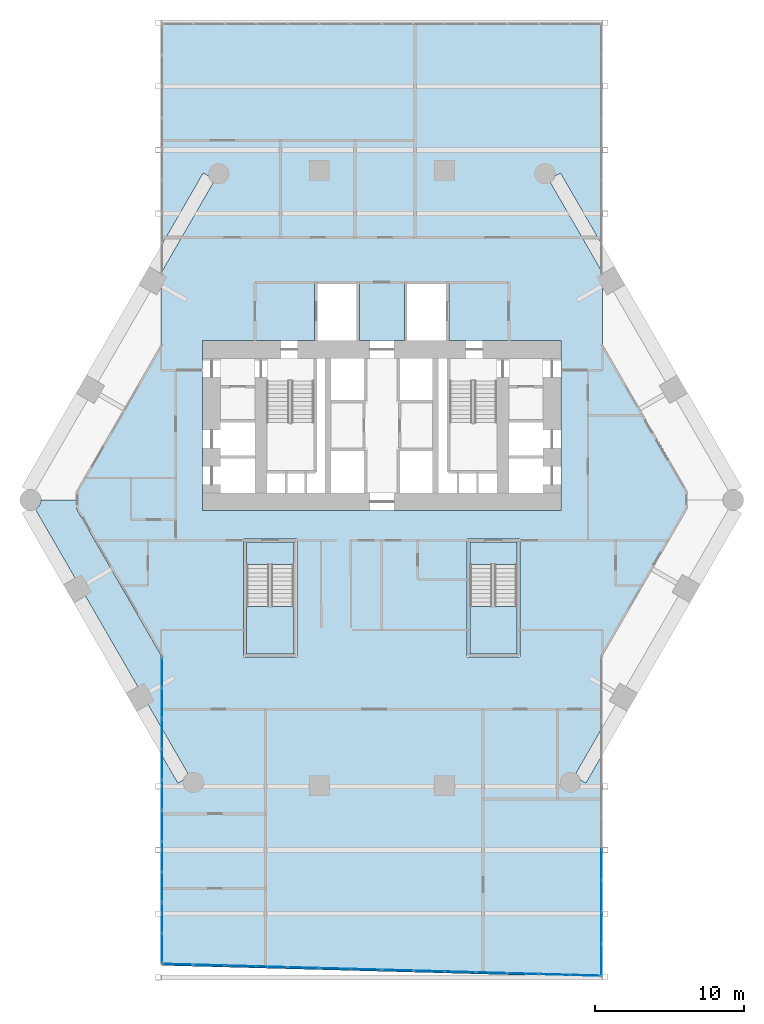
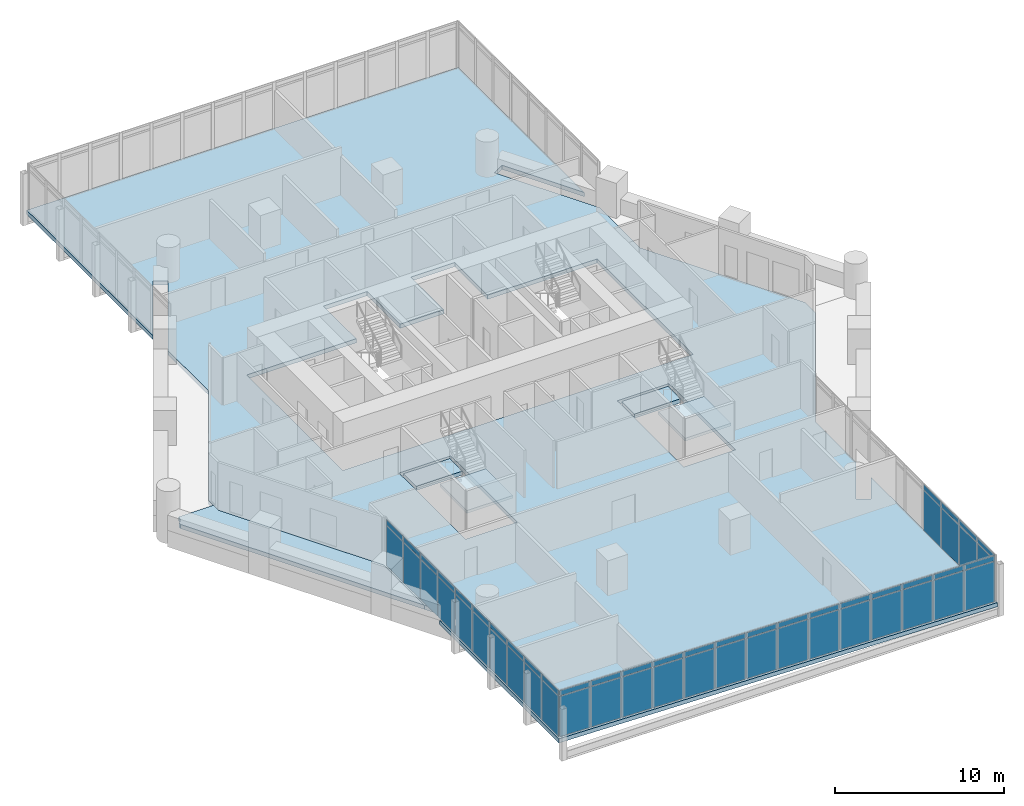
# One storey, part 20 of 28: 56 plates, 6 slabs, 5 elements without a shape of their own.
"""IFC4 building model written with IfcOpenShell, lengths in metres."""

from ifc_helpers import new_model, si_unit, direction, frame, origin, origin_2d, place, context, subcontext, project, spatial, polyline, rectangle, outline, extrude, material, layer, layer_set, type_object, element, aggregate, save


model = new_model("IFC4")

# Units and contexts
model_context = context("Model", 3, precision=1e-05, world=origin(), true_north=direction((0.0, 1.0)))
body_context = subcontext(model_context, "Body", "Model", "MODEL_VIEW")
ifc_project = project(units=[si_unit("LENGTHUNIT", "METRE"), si_unit("AREAUNIT", "SQUARE_METRE"), si_unit("VOLUMEUNIT", "CUBIC_METRE"), si_unit("PLANEANGLEUNIT", "RADIAN"), si_unit("MASSUNIT", "GRAM", prefix="KILO")], contexts=[model_context])

# Site, building, storey
site_placement = place(None, origin())
site = spatial("IfcSite", under=ifc_project, at=site_placement, CompositionType="ELEMENT")
building_placement = place(site_placement, origin())
building = spatial("IfcBuilding", under=site, at=building_placement, Name="Ostrander Bayou Hotel Tower", CompositionType="ELEMENT")
storey_placement = place(building_placement, frame((0.0, 0.0, 73.0)))
storey = spatial("IfcBuildingStorey", under=building, at=storey_placement, Name="L18", CompositionType="ELEMENT", Elevation=73.0)

# Curtain wall, plates
ifc_material_1 = material(Name="Aluminium and clear glass", Category="aluminium")
curtain_wall_type = type_object("IfcCurtainWallType", Name="CW-BAR glazed wall", PredefinedType="NOTDEFINED", material=ifc_material_1)
curtain_wall_1_placement = place(storey_placement, origin())
curtain_wall_1 = element("IfcCurtainWall", 1, at=curtain_wall_1_placement, inside=storey, type_object=curtain_wall_type, Name="CW-BAR L18:SB1S:E", PredefinedType="NOTDEFINED")
ifc_material_2 = material(Name="Clear laminated glass", Category="glass")
ifc_layer_1 = layer(ifc_material_2, 0.028076171875)
ifc_layer_set_1 = layer_set([ifc_layer_1], Name="CW-BR glazing panel 28 mm")
plate_type = type_object("IfcPlateType", Name="CW-BR glazing panel 28 mm", PredefinedType="CURTAIN_PANEL", material=ifc_layer_set_1)
plate_1_placement = place(storey_placement, frame((-14.712158203125, -12.559326171875, 0.06005859375), z_axis=(0.0, 0.0, 1.0), x_axis=(0.0, -1.0, 0.0)))
plate_1 = element("IfcPlate", 2, at=plate_1_placement, type_object=plate_type, Name="CW-BAR panel 1.1", PredefinedType="CURTAIN_PANEL", context=body_context, shape_type="SweptSolid", body=[
    extrude(rectangle(XDim=1.96337890625, YDim=0.028076171875, at=origin_2d()), origin(), (0.0, 0.0, 1.0), 2.909912109375),
])
plate_2_placement = place(storey_placement, frame((-14.712158203125, -12.559326171875, 3.02978515625), z_axis=(0.0, 0.0, 1.0), x_axis=(0.0, -1.0, 0.0)))
plate_2 = element("IfcPlate", 3, at=plate_2_placement, type_object=plate_type, Name="CW-BAR panel 1.2", PredefinedType="CURTAIN_PANEL", context=body_context, shape_type="SweptSolid", body=[
    extrude(rectangle(XDim=1.96337890625, YDim=0.028076171875, at=origin_2d()), origin(), (0.0, 0.0, 1.0), 0.360107421875),
])
plate_3_placement = place(storey_placement, frame((-14.712158203125, -14.597900390625, 0.06005859375), z_axis=(0.0, 0.0, 1.0), x_axis=(0.0, -1.0, 0.0)))
plate_3 = element("IfcPlate", 4, at=plate_3_placement, type_object=plate_type, Name="CW-BAR panel 2.1", PredefinedType="CURTAIN_PANEL", context=body_context, shape_type="SweptSolid", body=[
    extrude(rectangle(XDim=1.993408203125, YDim=0.028076171875, at=origin_2d()), origin(), (0.0, 0.0, 1.0), 2.909912109375),
])
plate_4_placement = place(storey_placement, frame((-14.712158203125, -14.597900390625, 3.02978515625), z_axis=(0.0, 0.0, 1.0), x_axis=(0.0, -1.0, 0.0)))
plate_4 = element("IfcPlate", 5, at=plate_4_placement, type_object=plate_type, Name="CW-BAR panel 2.2", PredefinedType="CURTAIN_PANEL", context=body_context, shape_type="SweptSolid", body=[
    extrude(rectangle(XDim=1.993408203125, YDim=0.028076171875, at=origin_2d()), origin(), (0.0, 0.0, 1.0), 0.360107421875),
])
plate_5_placement = place(storey_placement, frame((-14.712158203125, -16.6513671875, 0.06005859375), z_axis=(0.0, 0.0, 1.0), x_axis=(0.0, -1.0, 0.0)))
plate_5 = element("IfcPlate", 6, at=plate_5_placement, type_object=plate_type, Name="CW-BAR panel 3.1", PredefinedType="CURTAIN_PANEL", context=body_context, shape_type="SweptSolid", body=[
    extrude(rectangle(XDim=1.993408203125, YDim=0.028076171875, at=origin_2d()), origin(), (0.0, 0.0, 1.0), 2.909912109375),
])
plate_6_placement = place(storey_placement, frame((-14.712158203125, -16.6513671875, 3.02978515625), z_axis=(0.0, 0.0, 1.0), x_axis=(0.0, -1.0, 0.0)))
plate_6 = element("IfcPlate", 7, at=plate_6_placement, type_object=plate_type, Name="CW-BAR panel 3.2", PredefinedType="CURTAIN_PANEL", context=body_context, shape_type="SweptSolid", body=[
    extrude(rectangle(XDim=1.993408203125, YDim=0.028076171875, at=origin_2d()), origin(), (0.0, 0.0, 1.0), 0.360107421875),
])
plate_7_placement = place(storey_placement, frame((-14.712158203125, -18.70458984375, 0.06005859375), z_axis=(0.0, 0.0, 1.0), x_axis=(0.0, -1.0, 0.0)))
plate_7 = element("IfcPlate", 8, at=plate_7_placement, type_object=plate_type, Name="CW-BAR panel 4.1", PredefinedType="CURTAIN_PANEL", context=body_context, shape_type="SweptSolid", body=[
    extrude(rectangle(XDim=1.993408203125, YDim=0.028076171875, at=origin_2d()), origin(), (0.0, 0.0, 1.0), 2.909912109375),
])
plate_8_placement = place(storey_placement, frame((-14.712158203125, -18.70458984375, 3.02978515625), z_axis=(0.0, 0.0, 1.0), x_axis=(0.0, -1.0, 0.0)))
plate_8 = element("IfcPlate", 9, at=plate_8_placement, type_object=plate_type, Name="CW-BAR panel 4.2", PredefinedType="CURTAIN_PANEL", context=body_context, shape_type="SweptSolid", body=[
    extrude(rectangle(XDim=1.993408203125, YDim=0.028076171875, at=origin_2d()), origin(), (0.0, 0.0, 1.0), 0.360107421875),
])
plate_9_placement = place(storey_placement, frame((-14.712158203125, -20.758056640625, 0.06005859375), z_axis=(0.0, 0.0, 1.0), x_axis=(0.0, -1.0, 0.0)))
plate_9 = element("IfcPlate", 10, at=plate_9_placement, type_object=plate_type, Name="CW-BAR panel 5.1", PredefinedType="CURTAIN_PANEL", context=body_context, shape_type="SweptSolid", body=[
    extrude(rectangle(XDim=1.993408203125, YDim=0.028076171875, at=origin_2d()), origin(), (0.0, 0.0, 1.0), 2.909912109375),
])
plate_10_placement = place(storey_placement, frame((-14.712158203125, -20.758056640625, 3.02978515625), z_axis=(0.0, 0.0, 1.0), x_axis=(0.0, -1.0, 0.0)))
plate_10 = element("IfcPlate", 11, at=plate_10_placement, type_object=plate_type, Name="CW-BAR panel 5.2", PredefinedType="CURTAIN_PANEL", context=body_context, shape_type="SweptSolid", body=[
    extrude(rectangle(XDim=1.993408203125, YDim=0.028076171875, at=origin_2d()), origin(), (0.0, 0.0, 1.0), 0.360107421875),
])
plate_11_placement = place(storey_placement, frame((-14.712158203125, -22.8115234375, 0.06005859375), z_axis=(0.0, 0.0, 1.0), x_axis=(0.0, -1.0, 0.0)))
plate_11 = element("IfcPlate", 12, at=plate_11_placement, type_object=plate_type, Name="CW-BAR panel 6.1", PredefinedType="CURTAIN_PANEL", context=body_context, shape_type="SweptSolid", body=[
    extrude(rectangle(XDim=1.993408203125, YDim=0.028076171875, at=origin_2d()), origin(), (0.0, 0.0, 1.0), 2.909912109375),
])
plate_12_placement = place(storey_placement, frame((-14.712158203125, -22.8115234375, 3.02978515625), z_axis=(0.0, 0.0, 1.0), x_axis=(0.0, -1.0, 0.0)))
plate_12 = element("IfcPlate", 13, at=plate_12_placement, type_object=plate_type, Name="CW-BAR panel 6.2", PredefinedType="CURTAIN_PANEL", context=body_context, shape_type="SweptSolid", body=[
    extrude(rectangle(XDim=1.993408203125, YDim=0.028076171875, at=origin_2d()), origin(), (0.0, 0.0, 1.0), 0.360107421875),
])
plate_13_placement = place(storey_placement, frame((-14.712158203125, -24.864990234375, 0.06005859375), z_axis=(0.0, 0.0, 1.0), x_axis=(0.0, -1.0, 0.0)))
plate_13 = element("IfcPlate", 14, at=plate_13_placement, type_object=plate_type, Name="CW-BAR panel 7.1", PredefinedType="CURTAIN_PANEL", context=body_context, shape_type="SweptSolid", body=[
    extrude(rectangle(XDim=1.993408203125, YDim=0.028076171875, at=origin_2d()), origin(), (0.0, 0.0, 1.0), 2.909912109375),
])
plate_14_placement = place(storey_placement, frame((-14.712158203125, -24.864990234375, 3.02978515625), z_axis=(0.0, 0.0, 1.0), x_axis=(0.0, -1.0, 0.0)))
plate_14 = element("IfcPlate", 15, at=plate_14_placement, type_object=plate_type, Name="CW-BAR panel 7.2", PredefinedType="CURTAIN_PANEL", context=body_context, shape_type="SweptSolid", body=[
    extrude(rectangle(XDim=1.993408203125, YDim=0.028076171875, at=origin_2d()), origin(), (0.0, 0.0, 1.0), 0.360107421875),
])
plate_15_placement = place(storey_placement, frame((-14.712158203125, -26.91845703125, 0.06005859375), z_axis=(0.0, 0.0, 1.0), x_axis=(0.0, -1.0, 0.0)))
plate_15 = element("IfcPlate", 16, at=plate_15_placement, type_object=plate_type, Name="CW-BAR panel 8.1", PredefinedType="CURTAIN_PANEL", context=body_context, shape_type="SweptSolid", body=[
    extrude(rectangle(XDim=1.993408203125, YDim=0.028076171875, at=origin_2d()), origin(), (0.0, 0.0, 1.0), 2.909912109375),
])
plate_16_placement = place(storey_placement, frame((-14.712158203125, -26.91845703125, 3.02978515625), z_axis=(0.0, 0.0, 1.0), x_axis=(0.0, -1.0, 0.0)))
plate_16 = element("IfcPlate", 17, at=plate_16_placement, type_object=plate_type, Name="CW-BAR panel 8.2", PredefinedType="CURTAIN_PANEL", context=body_context, shape_type="SweptSolid", body=[
    extrude(rectangle(XDim=1.993408203125, YDim=0.028076171875, at=origin_2d()), origin(), (0.0, 0.0, 1.0), 0.360107421875),
])
plate_17_placement = place(storey_placement, frame((-14.712158203125, -28.971923828125, 0.06005859375), z_axis=(0.0, 0.0, 1.0), x_axis=(0.0, -1.0, 0.0)))
plate_17 = element("IfcPlate", 18, at=plate_17_placement, type_object=plate_type, Name="CW-BAR panel 9.1", PredefinedType="CURTAIN_PANEL", context=body_context, shape_type="SweptSolid", body=[
    extrude(rectangle(XDim=1.993408203125, YDim=0.028076171875, at=origin_2d()), origin(), (0.0, 0.0, 1.0), 2.909912109375),
])
plate_18_placement = place(storey_placement, frame((-14.712158203125, -28.971923828125, 3.02978515625), z_axis=(0.0, 0.0, 1.0), x_axis=(0.0, -1.0, 0.0)))
plate_18 = element("IfcPlate", 19, at=plate_18_placement, type_object=plate_type, Name="CW-BAR panel 9.2", PredefinedType="CURTAIN_PANEL", context=body_context, shape_type="SweptSolid", body=[
    extrude(rectangle(XDim=1.993408203125, YDim=0.028076171875, at=origin_2d()), origin(), (0.0, 0.0, 1.0), 0.360107421875),
])
plate_19_placement = place(storey_placement, frame((-14.712158203125, -31.01025390625, 0.06005859375), z_axis=(0.0, 0.0, 1.0), x_axis=(0.0, -1.0, 0.0)))
plate_19 = element("IfcPlate", 20, at=plate_19_placement, type_object=plate_type, Name="CW-BAR panel 10.1", PredefinedType="CURTAIN_PANEL", context=body_context, shape_type="SweptSolid", body=[
    extrude(rectangle(XDim=1.96337890625, YDim=0.028076171875, at=origin_2d()), origin(), (0.0, 0.0, 1.0), 2.909912109375),
])
plate_20_placement = place(storey_placement, frame((-14.712158203125, -31.01025390625, 3.02978515625), z_axis=(0.0, 0.0, 1.0), x_axis=(0.0, -1.0, 0.0)))
plate_20 = element("IfcPlate", 21, at=plate_20_placement, type_object=plate_type, Name="CW-BAR panel 10.2", PredefinedType="CURTAIN_PANEL", context=body_context, shape_type="SweptSolid", body=[
    extrude(rectangle(XDim=1.96337890625, YDim=0.028076171875, at=origin_2d()), origin(), (0.0, 0.0, 1.0), 0.360107421875),
])
aggregate(curtain_wall_1, [plate_1, plate_2, plate_3, plate_4, plate_5, plate_6, plate_7, plate_8, plate_9, plate_10, plate_11, plate_12, plate_13, plate_14, plate_15, plate_16, plate_17, plate_18, plate_19, plate_20])

curtain_wall_2_placement = place(storey_placement, origin())
curtain_wall_2 = element("IfcCurtainWall", 22, at=curtain_wall_2_placement, inside=storey, type_object=curtain_wall_type, Name="CW-BAR L18:SB1S:T", PredefinedType="NOTDEFINED")
plate_21_placement = place(storey_placement, frame((-13.646240234375, -32.080810546875, 0.06005859375), z_axis=(0.0, 0.0, 1.0), x_axis=(0.999634285133, -0.027042484848, 0.0)))
plate_21 = element("IfcPlate", 23, at=plate_21_placement, type_object=plate_type, Name="CW-BAR panel 1.1", PredefinedType="CURTAIN_PANEL", context=body_context, shape_type="SweptSolid", body=[
    extrude(rectangle(XDim=2.012451171875, YDim=0.028076171875, at=origin_2d()), origin(), (0.0, 0.0, 1.0), 2.909912109375),
])
plate_22_placement = place(storey_placement, frame((-13.646240234375, -32.080810546875, 3.02978515625), z_axis=(0.0, 0.0, 1.0), x_axis=(0.999634285133, -0.027042484848, 0.0)))
plate_22 = element("IfcPlate", 24, at=plate_22_placement, type_object=plate_type, Name="CW-BAR panel 1.2", PredefinedType="CURTAIN_PANEL", context=body_context, shape_type="SweptSolid", body=[
    extrude(rectangle(XDim=2.012451171875, YDim=0.028076171875, at=origin_2d()), origin(), (0.0, 0.0, 1.0), 0.360107421875),
])
plate_23_placement = place(storey_placement, frame((-11.5595703125, -32.13720703125, 0.06005859375), z_axis=(0.0, 0.0, 1.0), x_axis=(0.999634285133, -0.027042484848, 0.0)))
plate_23 = element("IfcPlate", 25, at=plate_23_placement, type_object=plate_type, Name="CW-BAR panel 2.1", PredefinedType="CURTAIN_PANEL", context=body_context, shape_type="SweptSolid", body=[
    extrude(rectangle(XDim=2.04248046875, YDim=0.028076171875, at=origin_2d()), origin(), (0.0, 0.0, 1.0), 2.909912109375),
])
plate_24_placement = place(storey_placement, frame((-11.5595703125, -32.13720703125, 3.02978515625), z_axis=(0.0, 0.0, 1.0), x_axis=(0.999634285133, -0.027042484848, 0.0)))
plate_24 = element("IfcPlate", 26, at=plate_24_placement, type_object=plate_type, Name="CW-BAR panel 2.2", PredefinedType="CURTAIN_PANEL", context=body_context, shape_type="SweptSolid", body=[
    extrude(rectangle(XDim=2.04248046875, YDim=0.028076171875, at=origin_2d()), origin(), (0.0, 0.0, 1.0), 0.360107421875),
])
plate_25_placement = place(storey_placement, frame((-9.457763671875, -32.194091796875, 0.06005859375), z_axis=(0.0, 0.0, 1.0), x_axis=(0.999634285133, -0.027042484848, 0.0)))
plate_25 = element("IfcPlate", 27, at=plate_25_placement, type_object=plate_type, Name="CW-BAR panel 3.1", PredefinedType="CURTAIN_PANEL", context=body_context, shape_type="SweptSolid", body=[
    extrude(rectangle(XDim=2.04248046875, YDim=0.028076171875, at=origin_2d()), origin(), (0.0, 0.0, 1.0), 2.909912109375),
])
plate_26_placement = place(storey_placement, frame((-9.457763671875, -32.194091796875, 3.02978515625), z_axis=(0.0, 0.0, 1.0), x_axis=(0.999634285133, -0.027042484848, 0.0)))
plate_26 = element("IfcPlate", 28, at=plate_26_placement, type_object=plate_type, Name="CW-BAR panel 3.2", PredefinedType="CURTAIN_PANEL", context=body_context, shape_type="SweptSolid", body=[
    extrude(rectangle(XDim=2.04248046875, YDim=0.028076171875, at=origin_2d()), origin(), (0.0, 0.0, 1.0), 0.360107421875),
])
plate_27_placement = place(storey_placement, frame((-7.356201171875, -32.2509765625, 0.06005859375), z_axis=(0.0, 0.0, 1.0), x_axis=(0.999634285133, -0.027042484848, 0.0)))
plate_27 = element("IfcPlate", 29, at=plate_27_placement, type_object=plate_type, Name="CW-BAR panel 4.1", PredefinedType="CURTAIN_PANEL", context=body_context, shape_type="SweptSolid", body=[
    extrude(rectangle(XDim=2.04248046875, YDim=0.028076171875, at=origin_2d()), origin(), (0.0, 0.0, 1.0), 2.909912109375),
])
plate_28_placement = place(storey_placement, frame((-7.356201171875, -32.2509765625, 3.02978515625), z_axis=(0.0, 0.0, 1.0), x_axis=(0.999634285133, -0.027042484848, 0.0)))
plate_28 = element("IfcPlate", 30, at=plate_28_placement, type_object=plate_type, Name="CW-BAR panel 4.2", PredefinedType="CURTAIN_PANEL", context=body_context, shape_type="SweptSolid", body=[
    extrude(rectangle(XDim=2.04248046875, YDim=0.028076171875, at=origin_2d()), origin(), (0.0, 0.0, 1.0), 0.360107421875),
])
plate_29_placement = place(storey_placement, frame((-5.25439453125, -32.307861328125, 0.06005859375), z_axis=(0.0, 0.0, 1.0), x_axis=(0.999634285133, -0.027042484848, 0.0)))
plate_29 = element("IfcPlate", 31, at=plate_29_placement, type_object=plate_type, Name="CW-BAR panel 5.1", PredefinedType="CURTAIN_PANEL", context=body_context, shape_type="SweptSolid", body=[
    extrude(rectangle(XDim=2.04248046875, YDim=0.028076171875, at=origin_2d()), origin(), (0.0, 0.0, 1.0), 2.909912109375),
])
plate_30_placement = place(storey_placement, frame((-5.25439453125, -32.307861328125, 3.02978515625), z_axis=(0.0, 0.0, 1.0), x_axis=(0.999634285133, -0.027042484848, 0.0)))
plate_30 = element("IfcPlate", 32, at=plate_30_placement, type_object=plate_type, Name="CW-BAR panel 5.2", PredefinedType="CURTAIN_PANEL", context=body_context, shape_type="SweptSolid", body=[
    extrude(rectangle(XDim=2.04248046875, YDim=0.028076171875, at=origin_2d()), origin(), (0.0, 0.0, 1.0), 0.360107421875),
])
plate_31_placement = place(storey_placement, frame((-3.152587890625, -32.36474609375, 0.06005859375), z_axis=(0.0, 0.0, 1.0), x_axis=(0.999634285133, -0.027042484848, 0.0)))
plate_31 = element("IfcPlate", 33, at=plate_31_placement, type_object=plate_type, Name="CW-BAR panel 6.1", PredefinedType="CURTAIN_PANEL", context=body_context, shape_type="SweptSolid", body=[
    extrude(rectangle(XDim=2.04248046875, YDim=0.028076171875, at=origin_2d()), origin(), (0.0, 0.0, 1.0), 2.909912109375),
])
plate_32_placement = place(storey_placement, frame((-3.152587890625, -32.36474609375, 3.02978515625), z_axis=(0.0, 0.0, 1.0), x_axis=(0.999634285133, -0.027042484848, 0.0)))
plate_32 = element("IfcPlate", 34, at=plate_32_placement, type_object=plate_type, Name="CW-BAR panel 6.2", PredefinedType="CURTAIN_PANEL", context=body_context, shape_type="SweptSolid", body=[
    extrude(rectangle(XDim=2.04248046875, YDim=0.028076171875, at=origin_2d()), origin(), (0.0, 0.0, 1.0), 0.360107421875),
])
plate_33_placement = place(storey_placement, frame((-1.05078125, -32.421630859375, 0.06005859375), z_axis=(0.0, 0.0, 1.0), x_axis=(0.999634285133, -0.027042484848, 0.0)))
plate_33 = element("IfcPlate", 35, at=plate_33_placement, type_object=plate_type, Name="CW-BAR panel 7.1", PredefinedType="CURTAIN_PANEL", context=body_context, shape_type="SweptSolid", body=[
    extrude(rectangle(XDim=2.04248046875, YDim=0.028076171875, at=origin_2d()), origin(), (0.0, 0.0, 1.0), 2.909912109375),
])
plate_34_placement = place(storey_placement, frame((-1.05078125, -32.421630859375, 3.02978515625), z_axis=(0.0, 0.0, 1.0), x_axis=(0.999634285133, -0.027042484848, 0.0)))
plate_34 = element("IfcPlate", 36, at=plate_34_placement, type_object=plate_type, Name="CW-BAR panel 7.2", PredefinedType="CURTAIN_PANEL", context=body_context, shape_type="SweptSolid", body=[
    extrude(rectangle(XDim=2.04248046875, YDim=0.028076171875, at=origin_2d()), origin(), (0.0, 0.0, 1.0), 0.360107421875),
])
plate_35_placement = place(storey_placement, frame((1.05078125, -32.478515625, 0.06005859375), z_axis=(0.0, 0.0, 1.0), x_axis=(0.999634285133, -0.027042484848, 0.0)))
plate_35 = element("IfcPlate", 37, at=plate_35_placement, type_object=plate_type, Name="CW-BAR panel 8.1", PredefinedType="CURTAIN_PANEL", context=body_context, shape_type="SweptSolid", body=[
    extrude(rectangle(XDim=2.04248046875, YDim=0.028076171875, at=origin_2d()), origin(), (0.0, 0.0, 1.0), 2.909912109375),
])
plate_36_placement = place(storey_placement, frame((1.05078125, -32.478515625, 3.02978515625), z_axis=(0.0, 0.0, 1.0), x_axis=(0.999634285133, -0.027042484848, 0.0)))
plate_36 = element("IfcPlate", 38, at=plate_36_placement, type_object=plate_type, Name="CW-BAR panel 8.2", PredefinedType="CURTAIN_PANEL", context=body_context, shape_type="SweptSolid", body=[
    extrude(rectangle(XDim=2.04248046875, YDim=0.028076171875, at=origin_2d()), origin(), (0.0, 0.0, 1.0), 0.360107421875),
])
plate_37_placement = place(storey_placement, frame((3.152587890625, -32.535400390625, 0.06005859375), z_axis=(0.0, 0.0, 1.0), x_axis=(0.999634285133, -0.027042484848, 0.0)))
plate_37 = element("IfcPlate", 39, at=plate_37_placement, type_object=plate_type, Name="CW-BAR panel 9.1", PredefinedType="CURTAIN_PANEL", context=body_context, shape_type="SweptSolid", body=[
    extrude(rectangle(XDim=2.04248046875, YDim=0.028076171875, at=origin_2d()), origin(), (0.0, 0.0, 1.0), 2.909912109375),
])
plate_38_placement = place(storey_placement, frame((3.152587890625, -32.535400390625, 3.02978515625), z_axis=(0.0, 0.0, 1.0), x_axis=(0.999634285133, -0.027042484848, 0.0)))
plate_38 = element("IfcPlate", 40, at=plate_38_placement, type_object=plate_type, Name="CW-BAR panel 9.2", PredefinedType="CURTAIN_PANEL", context=body_context, shape_type="SweptSolid", body=[
    extrude(rectangle(XDim=2.04248046875, YDim=0.028076171875, at=origin_2d()), origin(), (0.0, 0.0, 1.0), 0.360107421875),
])
plate_39_placement = place(storey_placement, frame((5.25439453125, -32.592041015625, 0.06005859375), z_axis=(0.0, 0.0, 1.0), x_axis=(0.999634285133, -0.027042484848, 0.0)))
plate_39 = element("IfcPlate", 41, at=plate_39_placement, type_object=plate_type, Name="CW-BAR panel 10.1", PredefinedType="CURTAIN_PANEL", context=body_context, shape_type="SweptSolid", body=[
    extrude(rectangle(XDim=2.04248046875, YDim=0.028076171875, at=origin_2d()), origin(), (0.0, 0.0, 1.0), 2.909912109375),
])
plate_40_placement = place(storey_placement, frame((5.25439453125, -32.592041015625, 3.02978515625), z_axis=(0.0, 0.0, 1.0), x_axis=(0.999634285133, -0.027042484848, 0.0)))
plate_40 = element("IfcPlate", 42, at=plate_40_placement, type_object=plate_type, Name="CW-BAR panel 10.2", PredefinedType="CURTAIN_PANEL", context=body_context, shape_type="SweptSolid", body=[
    extrude(rectangle(XDim=2.04248046875, YDim=0.028076171875, at=origin_2d()), origin(), (0.0, 0.0, 1.0), 0.360107421875),
])
plate_41_placement = place(storey_placement, frame((7.356201171875, -32.64892578125, 0.06005859375), z_axis=(0.0, 0.0, 1.0), x_axis=(0.999634285133, -0.027042484848, 0.0)))
plate_41 = element("IfcPlate", 43, at=plate_41_placement, type_object=plate_type, Name="CW-BAR panel 11.1", PredefinedType="CURTAIN_PANEL", context=body_context, shape_type="SweptSolid", body=[
    extrude(rectangle(XDim=2.04248046875, YDim=0.028076171875, at=origin_2d()), origin(), (0.0, 0.0, 1.0), 2.909912109375),
])
plate_42_placement = place(storey_placement, frame((7.356201171875, -32.64892578125, 3.02978515625), z_axis=(0.0, 0.0, 1.0), x_axis=(0.999634285133, -0.027042484848, 0.0)))
plate_42 = element("IfcPlate", 44, at=plate_42_placement, type_object=plate_type, Name="CW-BAR panel 11.2", PredefinedType="CURTAIN_PANEL", context=body_context, shape_type="SweptSolid", body=[
    extrude(rectangle(XDim=2.04248046875, YDim=0.028076171875, at=origin_2d()), origin(), (0.0, 0.0, 1.0), 0.360107421875),
])
plate_43_placement = place(storey_placement, frame((9.457763671875, -32.705810546875, 0.06005859375), z_axis=(0.0, 0.0, 1.0), x_axis=(0.999634285133, -0.027042484848, 0.0)))
plate_43 = element("IfcPlate", 45, at=plate_43_placement, type_object=plate_type, Name="CW-BAR panel 12.1", PredefinedType="CURTAIN_PANEL", context=body_context, shape_type="SweptSolid", body=[
    extrude(rectangle(XDim=2.04248046875, YDim=0.028076171875, at=origin_2d()), origin(), (0.0, 0.0, 1.0), 2.909912109375),
])
plate_44_placement = place(storey_placement, frame((9.457763671875, -32.705810546875, 3.02978515625), z_axis=(0.0, 0.0, 1.0), x_axis=(0.999634285133, -0.027042484848, 0.0)))
plate_44 = element("IfcPlate", 46, at=plate_44_placement, type_object=plate_type, Name="CW-BAR panel 12.2", PredefinedType="CURTAIN_PANEL", context=body_context, shape_type="SweptSolid", body=[
    extrude(rectangle(XDim=2.04248046875, YDim=0.028076171875, at=origin_2d()), origin(), (0.0, 0.0, 1.0), 0.360107421875),
])
plate_45_placement = place(storey_placement, frame((11.5595703125, -32.7626953125, 0.06005859375), z_axis=(0.0, 0.0, 1.0), x_axis=(0.999634285133, -0.027042484848, 0.0)))
plate_45 = element("IfcPlate", 47, at=plate_45_placement, type_object=plate_type, Name="CW-BAR panel 13.1", PredefinedType="CURTAIN_PANEL", context=body_context, shape_type="SweptSolid", body=[
    extrude(rectangle(XDim=2.04248046875, YDim=0.028076171875, at=origin_2d()), origin(), (0.0, 0.0, 1.0), 2.909912109375),
])
plate_46_placement = place(storey_placement, frame((11.5595703125, -32.7626953125, 3.02978515625), z_axis=(0.0, 0.0, 1.0), x_axis=(0.999634285133, -0.027042484848, 0.0)))
plate_46 = element("IfcPlate", 48, at=plate_46_placement, type_object=plate_type, Name="CW-BAR panel 13.2", PredefinedType="CURTAIN_PANEL", context=body_context, shape_type="SweptSolid", body=[
    extrude(rectangle(XDim=2.04248046875, YDim=0.028076171875, at=origin_2d()), origin(), (0.0, 0.0, 1.0), 0.360107421875),
])
plate_47_placement = place(storey_placement, frame((13.646240234375, -32.819091796875, 0.06005859375), z_axis=(0.0, 0.0, 1.0), x_axis=(0.999634285133, -0.027042484848, 0.0)))
plate_47 = element("IfcPlate", 49, at=plate_47_placement, type_object=plate_type, Name="CW-BAR panel 14.1", PredefinedType="CURTAIN_PANEL", context=body_context, shape_type="SweptSolid", body=[
    extrude(rectangle(XDim=2.012451171875, YDim=0.028076171875, at=origin_2d()), origin(), (0.0, 0.0, 1.0), 2.909912109375),
])
plate_48_placement = place(storey_placement, frame((13.646240234375, -32.819091796875, 3.02978515625), z_axis=(0.0, 0.0, 1.0), x_axis=(0.999634285133, -0.027042484848, 0.0)))
plate_48 = element("IfcPlate", 50, at=plate_48_placement, type_object=plate_type, Name="CW-BAR panel 14.2", PredefinedType="CURTAIN_PANEL", context=body_context, shape_type="SweptSolid", body=[
    extrude(rectangle(XDim=2.012451171875, YDim=0.028076171875, at=origin_2d()), origin(), (0.0, 0.0, 1.0), 0.360107421875),
])
aggregate(curtain_wall_2, [plate_21, plate_22, plate_23, plate_24, plate_25, plate_26, plate_27, plate_28, plate_29, plate_30, plate_31, plate_32, plate_33, plate_34, plate_35, plate_36, plate_37, plate_38, plate_39, plate_40, plate_41, plate_42, plate_43, plate_44, plate_45, plate_46, plate_47, plate_48])

curtain_wall_3_placement = place(storey_placement, origin())
curtain_wall_3 = element("IfcCurtainWall", 51, at=curtain_wall_3_placement, inside=storey, type_object=curtain_wall_type, Name="CW-BAR L18:SB1S:W", PredefinedType="NOTDEFINED")
plate_49_placement = place(storey_placement, frame((14.712158203125, -25.38232421875, 0.06005859375), z_axis=(0.0, 0.0, 1.0), x_axis=(0.0, -1.0, 0.0)))
plate_49 = element("IfcPlate", 52, at=plate_49_placement, type_object=plate_type, Name="CW-BAR panel 7.1", PredefinedType="CURTAIN_PANEL", context=body_context, shape_type="SweptSolid", body=[
    extrude(rectangle(XDim=2.072998046875, YDim=0.028076171875, at=origin_2d()), origin(), (0.0, 0.0, 1.0), 2.909912109375),
])
plate_50_placement = place(storey_placement, frame((14.712158203125, -25.38232421875, 3.02978515625), z_axis=(0.0, 0.0, 1.0), x_axis=(0.0, -1.0, 0.0)))
plate_50 = element("IfcPlate", 53, at=plate_50_placement, type_object=plate_type, Name="CW-BAR panel 7.2", PredefinedType="CURTAIN_PANEL", context=body_context, shape_type="SweptSolid", body=[
    extrude(rectangle(XDim=2.072998046875, YDim=0.028076171875, at=origin_2d()), origin(), (0.0, 0.0, 1.0), 0.360107421875),
])
plate_51_placement = place(storey_placement, frame((14.712158203125, -27.515380859375, 0.06005859375), z_axis=(0.0, 0.0, 1.0), x_axis=(0.0, -1.0, 0.0)))
plate_51 = element("IfcPlate", 54, at=plate_51_placement, type_object=plate_type, Name="CW-BAR panel 8.1", PredefinedType="CURTAIN_PANEL", context=body_context, shape_type="SweptSolid", body=[
    extrude(rectangle(XDim=2.072998046875, YDim=0.028076171875, at=origin_2d()), origin(), (0.0, 0.0, 1.0), 2.909912109375),
])
plate_52_placement = place(storey_placement, frame((14.712158203125, -27.515380859375, 3.02978515625), z_axis=(0.0, 0.0, 1.0), x_axis=(0.0, -1.0, 0.0)))
plate_52 = element("IfcPlate", 55, at=plate_52_placement, type_object=plate_type, Name="CW-BAR panel 8.2", PredefinedType="CURTAIN_PANEL", context=body_context, shape_type="SweptSolid", body=[
    extrude(rectangle(XDim=2.072998046875, YDim=0.028076171875, at=origin_2d()), origin(), (0.0, 0.0, 1.0), 0.360107421875),
])
plate_53_placement = place(storey_placement, frame((14.712158203125, -29.6484375, 0.06005859375), z_axis=(0.0, 0.0, 1.0), x_axis=(0.0, -1.0, 0.0)))
plate_53 = element("IfcPlate", 56, at=plate_53_placement, type_object=plate_type, Name="CW-BAR panel 9.1", PredefinedType="CURTAIN_PANEL", context=body_context, shape_type="SweptSolid", body=[
    extrude(rectangle(XDim=2.072998046875, YDim=0.028076171875, at=origin_2d()), origin(), (0.0, 0.0, 1.0), 2.909912109375),
])
plate_54_placement = place(storey_placement, frame((14.712158203125, -29.6484375, 3.02978515625), z_axis=(0.0, 0.0, 1.0), x_axis=(0.0, -1.0, 0.0)))
plate_54 = element("IfcPlate", 57, at=plate_54_placement, type_object=plate_type, Name="CW-BAR panel 9.2", PredefinedType="CURTAIN_PANEL", context=body_context, shape_type="SweptSolid", body=[
    extrude(rectangle(XDim=2.072998046875, YDim=0.028076171875, at=origin_2d()), origin(), (0.0, 0.0, 1.0), 0.360107421875),
])
plate_55_placement = place(storey_placement, frame((14.712158203125, -31.7666015625, 0.06005859375), z_axis=(0.0, 0.0, 1.0), x_axis=(0.0, -1.0, 0.0)))
plate_55 = element("IfcPlate", 58, at=plate_55_placement, type_object=plate_type, Name="CW-BAR panel 10.1", PredefinedType="CURTAIN_PANEL", context=body_context, shape_type="SweptSolid", body=[
    extrude(rectangle(XDim=2.04296875, YDim=0.028076171875, at=origin_2d()), origin(), (0.0, 0.0, 1.0), 2.909912109375),
])
plate_56_placement = place(storey_placement, frame((14.712158203125, -31.7666015625, 3.02978515625), z_axis=(0.0, 0.0, 1.0), x_axis=(0.0, -1.0, 0.0)))
plate_56 = element("IfcPlate", 59, at=plate_56_placement, type_object=plate_type, Name="CW-BAR panel 10.2", PredefinedType="CURTAIN_PANEL", context=body_context, shape_type="SweptSolid", body=[
    extrude(rectangle(XDim=2.04296875, YDim=0.028076171875, at=origin_2d()), origin(), (0.0, 0.0, 1.0), 0.360107421875),
])
aggregate(curtain_wall_3, [plate_49, plate_50, plate_51, plate_52, plate_53, plate_54, plate_55, plate_56])

# Slabs
ifc_material_3 = material(Name="Concrete f'c 40 MPa", Category="concrete")
ifc_layer_2 = layer(ifc_material_3, 0.300048828125)
ifc_layer_set_2 = layer_set([ifc_layer_2], Name="SL1 floor slab 300 mm f'c 40 MPa")
slab_type_1 = type_object("IfcSlabType", Name="SL1 floor slab 300 mm f'c 40 MPa", PredefinedType="FLOOR", material=ifc_layer_set_2)
slab_1_placement = place(storey_placement, frame((0.0, 0.0, -0.300048828125)))
element("IfcSlab", 60, at=slab_1_placement, inside=storey, type_object=slab_type_1, Name="SL1 L18 1", PredefinedType="FLOOR", context=body_context, shape_type="SweptSolid", body=[
    extrude(outline(polyline([(-13.661865234375, -19.93701171875), (-12.88232421875, -19.487060546875), (-14.787109375, -16.187744140625), (-14.787109375, -11.3876953125), (-20.448486328125, -1.581787109375), (-20.448486328125, -0.3818359375), (-14.787109375, 9.424072265625), (-14.787109375, 14.22412109375), (-11.181640625, 20.468994140625), (-11.961181640625, 20.9189453125), (-14.787109375, 16.02392578125), (-14.787109375, 30.986083984375), (14.787109375, 30.986083984375), (14.787109375, 16.02392578125), (11.961181640625, 20.9189453125), (11.181640625, 20.468994140625), (14.787109375, 14.22412109375), (14.787109375, 9.424072265625), (20.448486328125, -0.3818359375), (20.448486328125, -1.581787109375), (14.787109375, -11.3876953125), (14.787109375, -16.187744140625), (12.88232421875, -19.487060546875), (13.661865234375, -19.93701171875), (14.787109375, -17.98779296875), (14.787109375, -32.949951171875), (-14.787109375, -32.14990234375), (-14.787109375, -17.98779296875), (-13.661865234375, -19.93701171875)]), holes=[polyline([(-12.0, -1.699951171875), (12.0, -1.699951171875), (12.0, 9.699951171875), (4.5, 9.699951171875), (4.5, 13.60009765625), (1.5, 13.60009765625), (1.5, 9.699951171875), (-1.5, 9.699951171875), (-1.5, 13.60009765625), (-4.5, 13.60009765625), (-4.5, 9.699951171875), (-12.0, 9.699951171875), (-12.0, -1.699951171875)]), polyline([(9.25, -3.60009765625), (5.699951171875, -3.60009765625), (5.699951171875, -11.5), (9.25, -11.5), (9.25, -3.60009765625)]), polyline([(-5.699951171875, -3.60009765625), (-9.25, -3.60009765625), (-9.25, -11.5), (-5.699951171875, -11.5), (-5.699951171875, -3.60009765625)])]), origin(), (0.0, 0.0, 1.0), 0.300048828125),
])
slab_2_placement = place(storey_placement, frame((0.0, 0.0, -0.300048828125)))
element("IfcSlab", 61, at=slab_2_placement, inside=storey, type_object=slab_type_1, Name="cslab:L18:006", PredefinedType="FLOOR", context=body_context, shape_type="SweptSolid", body=[
    extrude(outline(polyline([(9.050048828125, -5.300048828125), (9.050048828125, -3.800048828125), (5.89990234375, -3.800048828125), (5.89990234375, -5.300048828125), (9.050048828125, -5.300048828125)])), origin(), (0.0, 0.0, 1.0), 0.300048828125),
])
slab_3_placement = place(storey_placement, frame((0.0, 0.0, -0.300048828125)))
element("IfcSlab", 62, at=slab_3_placement, inside=storey, type_object=slab_type_1, Name="cslab:L18:007", PredefinedType="FLOOR", context=body_context, shape_type="SweptSolid", body=[
    extrude(outline(polyline([(-5.89990234375, -5.300048828125), (-5.89990234375, -3.800048828125), (-9.050048828125, -3.800048828125), (-9.050048828125, -5.300048828125), (-5.89990234375, -5.300048828125)])), origin(), (0.0, 0.0, 1.0), 0.300048828125),
])
ifc_material_4 = material(Name="Concrete f'c 40 MPa", Category="concrete")
ifc_layer_3 = layer(ifc_material_4, 0.300048828125)
ifc_layer_set_3 = layer_set([ifc_layer_3], Name="SL4 loggia slab 300 mm f'c 40 MPa")
slab_type_2 = type_object("IfcSlabType", Name="SL4 loggia slab 300 mm f'c 40 MPa", PredefinedType="FLOOR", material=ifc_layer_set_3)
slab_4_placement = place(storey_placement, frame((0.0, 0.0, -0.300048828125)))
element("IfcSlab", 63, at=slab_4_placement, inside=storey, type_object=slab_type_2, Name="SL4 LOGGIA L18 SW 1", PredefinedType="FLOOR", context=body_context, shape_type="SweptSolid", body=[
    extrude(outline(polyline([(-14.787109375, -16.187744140625), (-17.81591796875, -10.942138671875), (-19.862548828125, -7.39697265625), (-23.13330078125, -1.73193359375), (-23.13330078125, -1.553955078125), (-23.039306640625, -1.476806640625), (-22.952392578125, -1.370849609375), (-22.8876953125, -1.249755859375), (-22.84765625, -1.118408203125), (-22.834228515625, -0.98193359375), (-20.448486328125, -0.98193359375), (-20.448486328125, -1.581787109375), (-14.787109375, -11.3876953125), (-14.787109375, -16.187744140625)])), origin(), (0.0, 0.0, 1.0), 0.300048828125),
])

# Stair, slab
ifc_material_5 = material(Name="Concrete f'c 45 MPa", Category="concrete")
stair_type = type_object("IfcStairType", Name="ST1 exit stair 1500 mm f'c 45 MPa", PredefinedType="HALF_TURN_STAIR", material=ifc_material_5)
stair_1_placement = place(storey_placement, origin())
stair_1 = element("IfcStair", 64, at=stair_1_placement, inside=storey, type_object=stair_type, Name="L18 exit stair C", PredefinedType="HALF_TURN_STAIR")
ifc_material_6 = material(Name="Concrete f'c 45 MPa", Category="concrete")
ifc_layer_4 = layer(ifc_material_6, 0.199951171875)
ifc_layer_set_4 = layer_set([ifc_layer_4], Name="SL8 stair landing 200 mm f'c 45 MPa")
slab_type_3 = type_object("IfcSlabType", Name="SL8 stair landing 200 mm f'c 45 MPa", PredefinedType="LANDING", material=ifc_layer_set_4)
slab_5_placement = place(storey_placement, frame((0.0, 0.0, 1.675048828125)))
slab_5 = element("IfcSlab", 65, at=slab_5_placement, type_object=slab_type_3, Name="STC landing 1", PredefinedType="LANDING", context=body_context, shape_type="SweptSolid", body=[
    extrude(outline(polyline([(5.89990234375, -8.10009765625), (5.89990234375, -11.300048828125), (9.050048828125, -11.300048828125), (9.050048828125, -8.10009765625), (5.89990234375, -8.10009765625)])), origin(), (0.0, 0.0, 1.0), 0.199951171875),
])
aggregate(stair_1, [slab_5])

stair_2_placement = place(storey_placement, origin())
stair_2 = element("IfcStair", 66, at=stair_2_placement, inside=storey, type_object=stair_type, Name="L18 exit stair D", PredefinedType="HALF_TURN_STAIR")
slab_6_placement = place(storey_placement, frame((0.0, 0.0, 1.675048828125)))
slab_6 = element("IfcSlab", 67, at=slab_6_placement, type_object=slab_type_3, Name="STD landing 1", PredefinedType="LANDING", context=body_context, shape_type="SweptSolid", body=[
    extrude(outline(polyline([(-9.050048828125, -8.10009765625), (-9.050048828125, -11.300048828125), (-5.89990234375, -11.300048828125), (-5.89990234375, -8.10009765625), (-9.050048828125, -8.10009765625)])), origin(), (0.0, 0.0, 1.0), 0.199951171875),
])
aggregate(stair_2, [slab_6])

save(model, "model.ifc")
